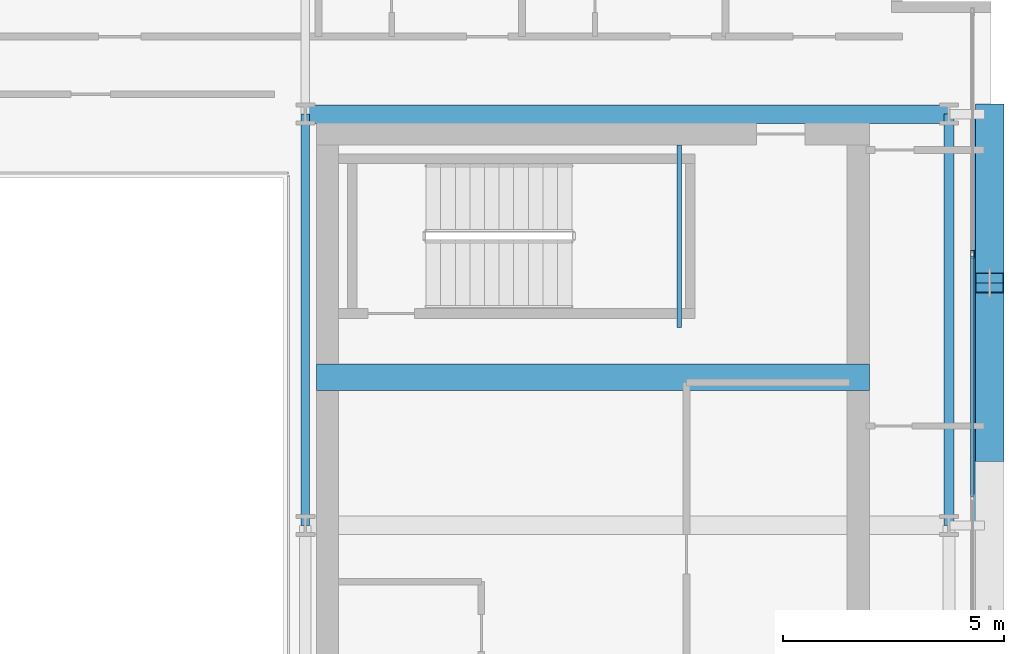
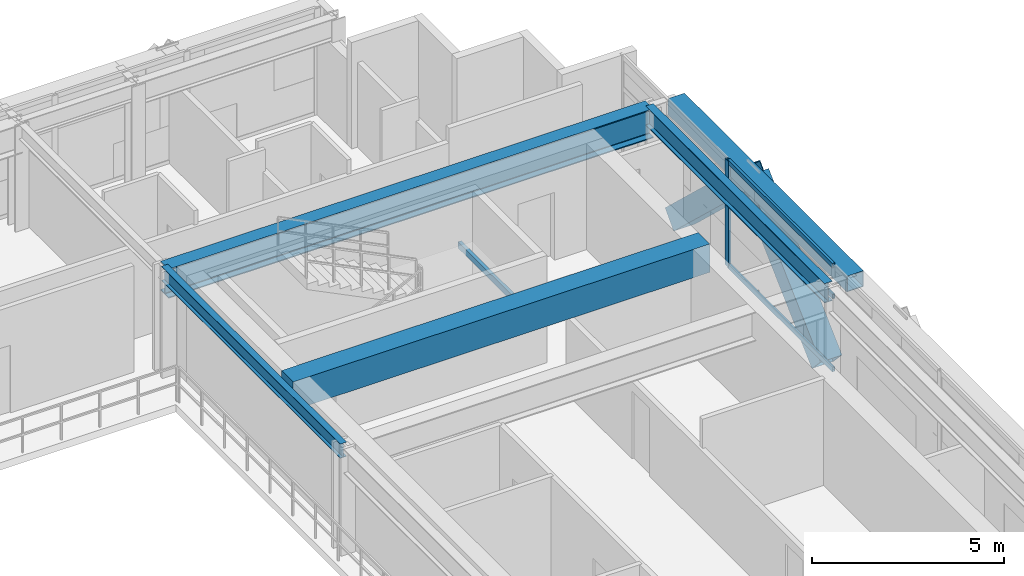
# One storey, part 14 of 31: 6 beams, 6 members, 1 element without a shape of its own.
"""IFC4 building model written with IfcOpenShell, lengths in metres."""

from ifc_helpers import new_model, si_unit, direction, frame, origin, origin_2d, place, context, subcontext, project, spatial, rectangle, hollow_rectangle, i_section, extrude, source, transform, mapped, material, layer, layer_set, material_profile, profile_set, type_object, element, aggregate, save


model = new_model("IFC4")

# Units and contexts
model_context = context("Model", 3, precision=1e-05, world=origin(), true_north=direction((0.0, 1.0)))
body_context = subcontext(model_context, "Body", "Model", "MODEL_VIEW")
ifc_project = project(units=[si_unit("LENGTHUNIT", "METRE"), si_unit("AREAUNIT", "SQUARE_METRE"), si_unit("VOLUMEUNIT", "CUBIC_METRE"), si_unit("PLANEANGLEUNIT", "RADIAN"), si_unit("MASSUNIT", "GRAM", prefix="KILO")], contexts=[model_context])

# Site, building, storey
site_placement = place(None, origin())
site = spatial("IfcSite", under=ifc_project, at=site_placement, CompositionType="ELEMENT")
building_placement = place(site_placement, origin())
building = spatial("IfcBuilding", under=site, at=building_placement, Name="Ocotamira Hotel", CompositionType="ELEMENT")
storey_placement = place(building_placement, frame((0.0, 0.0, 174.0)))
storey = spatial("IfcBuildingStorey", under=building, at=storey_placement, Name="L43", CompositionType="ELEMENT", Elevation=174.0)

# Beams
ifc_material_1 = material(Name="Concrete C50/60", Category="concrete")
ifc_material_profile_1 = material_profile(ifc_material_1, rectangle(XDim=0.60009765625, YDim=0.89990234375, at=origin_2d()), Name="RC600X900")
ifc_profile_set_1 = profile_set([ifc_material_profile_1], Name="Concrete C50/60")
beam_type_1 = type_object("IfcBeamType", Name="BM-LINK-RC600", PredefinedType="LINTEL", material=ifc_profile_set_1)
shared_shape_1 = source(origin(), body_context, "Body", "SweptSolid", [
    extrude(rectangle(XDim=0.60009765625, YDim=0.89990234375, at=origin_2d()), origin(), (0.0, 0.0, 1.0), 12.5),
])
beam_1_placement = place(storey_placement, frame((40.75, 31.5, 2.919921875), z_axis=(1.0, 0.0, 0.0), x_axis=(0.0, 1.0, 0.0)))
element("IfcBeam", 1, at=beam_1_placement, inside=storey, type_object=beam_type_1, Name="L43 East Core Coupling Beam", PredefinedType="LINTEL", context=body_context, shape_type="MappedRepresentation", body=[
    mapped(shared_shape_1, transform((0.0, 0.0, 0.0), scale=1.0)),
])
ifc_material_2 = material(Name="Steel ASTM A500 Grade C", Category="steel")
ifc_material_profile_2 = material_profile(ifc_material_2, hollow_rectangle(XDim=0.10009765625, YDim=0.199951171875, WallThickness=0.008056640625, at=origin_2d()), Name="HSS200X100X8")
ifc_profile_set_2 = profile_set([ifc_material_profile_2], Name="Steel ASTM A500 Grade C")
beam_type_2 = type_object("IfcBeamType", Name="BM-STLDG-HSS200", PredefinedType="BEAM", material=ifc_profile_set_2)
shared_shape_2 = source(origin(), body_context, "Body", "SweptSolid", [
    extrude(hollow_rectangle(XDim=0.10009765625, YDim=0.199951171875, WallThickness=0.008056640625, at=origin_2d()), origin(), (0.0, 0.0, 1.0), 4.1201171875),
])
beam_2_placement = place(storey_placement, frame((48.949951171875, 32.6298828125, 1.5), z_axis=(0.0, 1.0, 0.0), x_axis=(-1.0, 0.0, 0.0)))
element("IfcBeam", 2, at=beam_2_placement, inside=storey, type_object=beam_type_2, Name="L43 Stair ST-4 Landing Bearer 1", PredefinedType="BEAM", context=body_context, shape_type="MappedRepresentation", body=[
    mapped(shared_shape_2, transform((0.0, 0.0, 0.0), scale=1.0)),
])
ifc_material_3 = material(Name="Steel ASTM A992 Grade 50", Category="steel")
ifc_material_profile_3 = material_profile(ifc_material_3, i_section(OverallWidth=0.41796875, OverallDepth=0.927001953125, WebThickness=0.019287109375, FlangeThickness=0.031982421875, FilletRadius=0.02392578125, at=origin_2d()), Name="W36X231")
ifc_profile_set_3 = profile_set([ifc_material_profile_3], Name="Steel ASTM A992 Grade 50")
beam_type_3 = type_object("IfcBeamType", Name="BM-GIRD-W36X231", PredefinedType="BEAM", material=ifc_profile_set_3)
shared_shape_3 = source(origin(), body_context, "Body", "SweptSolid", [
    extrude(i_section(OverallWidth=0.41796875, OverallDepth=0.927001953125, WebThickness=0.019287109375, FlangeThickness=0.031982421875, FilletRadius=0.02392578125, at=origin_2d()), origin(), (0.0, 0.0, 1.0), 14.550048828125),
])
beam_3_placement = place(storey_placement, frame((40.5, 37.449951171875, 2.906494140625), z_axis=(1.0, 0.0, 0.0), x_axis=(0.0, 1.0, 0.0)))
element("IfcBeam", 3, at=beam_3_placement, inside=storey, type_object=beam_type_3, Name="L43 Girder Y37.45 X40.5-55.05", PredefinedType="BEAM", context=body_context, shape_type="MappedRepresentation", body=[
    mapped(shared_shape_3, transform((0.0, 0.0, 0.0), scale=1.0)),
])
ifc_material_profile_4 = material_profile(ifc_material_3, i_section(OverallWidth=0.22998046875, OverallDepth=0.616943359375, WebThickness=0.01318359375, FlangeThickness=0.022216796875, FilletRadius=0.012939453125, at=origin_2d()), Name="W24X94")
ifc_profile_set_4 = profile_set([ifc_material_profile_4], Name="Steel ASTM A992 Grade 50")
beam_type_4 = type_object("IfcBeamType", Name="BM-PRIM-W24X94", PredefinedType="BEAM", material=ifc_profile_set_4)
shared_shape_4 = source(origin(), body_context, "Body", "SweptSolid", [
    extrude(i_section(OverallWidth=0.22998046875, OverallDepth=0.616943359375, WebThickness=0.01318359375, FlangeThickness=0.022216796875, FilletRadius=0.012939453125, at=origin_2d()), origin(), (0.0, 0.0, 1.0), 9.300048828125),
])
beam_4_placement = place(storey_placement, frame((55.050048828125, 28.14990234375, 3.0615234375), z_axis=(0.0, 1.0, 0.0), x_axis=(-1.0, 0.0, 0.0)))
element("IfcBeam", 4, at=beam_4_placement, inside=storey, type_object=beam_type_4, Name="L43 Beam X55.05 Y28.15-37.45", PredefinedType="BEAM", context=body_context, shape_type="MappedRepresentation", body=[
    mapped(shared_shape_4, transform((0.0, 0.0, 0.0), scale=1.0)),
])
ifc_material_profile_5 = material_profile(ifc_material_3, i_section(OverallWidth=0.18994140625, OverallDepth=0.45703125, WebThickness=0.009033203125, FlangeThickness=0.014404296875, FilletRadius=0.010009765625, at=origin_2d()), Name="W18X50")
ifc_profile_set_5 = profile_set([ifc_material_profile_5], Name="Steel ASTM A992 Grade 50")
beam_type_5 = type_object("IfcBeamType", Name="BM-SEC-W18X50", PredefinedType="JOIST", material=ifc_profile_set_5)
shared_shape_5 = source(origin(), body_context, "Body", "SweptSolid", [
    extrude(i_section(OverallWidth=0.18994140625, OverallDepth=0.45703125, WebThickness=0.009033203125, FlangeThickness=0.014404296875, FilletRadius=0.010009765625, at=origin_2d()), origin(), (0.0, 0.0, 1.0), 9.300048828125),
])
beam_5_placement = place(storey_placement, frame((40.5, 28.14990234375, 3.1416015625), z_axis=(0.0, 1.0, 0.0), x_axis=(-1.0, 0.0, 0.0)))
element("IfcBeam", 5, at=beam_5_placement, inside=storey, type_object=beam_type_5, Name="L43 Beam X40.5 Y28.15-37.45", PredefinedType="JOIST", context=body_context, shape_type="MappedRepresentation", body=[
    mapped(shared_shape_5, transform((0.0, 0.0, 0.0), scale=1.0)),
])
ifc_material_profile_6 = material_profile(ifc_material_2, hollow_rectangle(XDim=0.5, YDim=0.5, WallThickness=0.02001953125, at=origin_2d()), Name="HSS500X500X20")
ifc_profile_set_6 = profile_set([ifc_material_profile_6], Name="Steel ASTM A500 Grade C")
beam_type_6 = type_object("IfcBeamType", Name="BM-SPAN-HSS500", PredefinedType="USERDEFINED", material=ifc_profile_set_6)
shared_shape_6 = source(origin(), body_context, "Body", "SweptSolid", [
    extrude(hollow_rectangle(XDim=0.5, YDim=0.5, WallThickness=0.02001953125, at=origin_2d()), origin(), (0.0, 0.0, 1.0), 9.300048828125),
])
beam_6_placement = place(storey_placement, frame((55.85009765625, 28.14990234375, 3.1201171875), z_axis=(0.0, 1.0, 0.0), x_axis=(-1.0, 0.0, 0.0)))
element("IfcBeam", 6, at=beam_6_placement, inside=storey, type_object=beam_type_6, Name="L43 Edge Spandrel E Y28.15-37.45", ObjectType="SPANDREL", PredefinedType="USERDEFINED", context=body_context, shape_type="MappedRepresentation", body=[
    mapped(shared_shape_6, transform((0.0, 0.0, 0.0), scale=1.0)),
])

# Members
ifc_material_4 = material(Name="Pale-metal coated steel ASTM A913 Grade 65", Category="steel")
ifc_material_profile_7 = material_profile(ifc_material_4, hollow_rectangle(XDim=0.64990234375, YDim=0.64990234375, WallThickness=0.02197265625, at=origin_2d()), Name="BOX650X650X22")
ifc_profile_set_7 = profile_set([ifc_material_profile_7], Name="Pale-metal coated steel ASTM A913 Grade 65")
member_type_1 = type_object("IfcMemberType", Name="MEM-EXO-BOX650", PredefinedType="BRACE", material=ifc_profile_set_7)
shared_shape_7 = source(origin(), body_context, "Body", "SweptSolid", [
    extrude(hollow_rectangle(XDim=0.64990234375, YDim=0.64990234375, WallThickness=0.02197265625, at=origin_2d()), origin(), (0.0, 0.0, 1.0), 5.24658203125),
])
for number, where, z_axis, x_axis, name in (
    (7, (55.969970703125, 29.816650390625, -0.47998046875), (0.0, 0.727442733726, 0.686168397078), (-1.0, 0.0, 0.0), "L43 Exoskeleton Diagrid E2.1"),
    (8, (55.969970703125, 37.449951171875, -0.47998046875), (0.0, -0.727442733726, 0.686168397078), (1.0, 0.0, 0.0), "L43 Exoskeleton Diagrid E2.2"),
):
    element("IfcMember", number, at=place(storey_placement, frame(where, z_axis=z_axis, x_axis=x_axis)), inside=storey, type_object=member_type_1, Name=name, PredefinedType="BRACE", context=body_context, shape_type="MappedRepresentation", body=[
        mapped(shared_shape_7, transform((0.0, 0.0, 0.0), scale=1.0)),
    ])

# Curtain wall, members
ifc_material_5 = material(Name="Anodised pale-metal aluminium and solar glass", Category="aluminium")
ifc_layer = layer(ifc_material_5, 0.199951171875)
ifc_layer_set = layer_set([ifc_layer], Name="Anodised pale-metal aluminium and solar glass")
curtain_wall_type = type_object("IfcCurtainWallType", Name="CW-SYS4-Z3", PredefinedType="NOTDEFINED", material=ifc_layer_set)
curtain_wall_placement = place(storey_placement, origin())
curtain_wall = element("IfcCurtainWall", 9, at=curtain_wall_placement, inside=storey, type_object=curtain_wall_type, Name="L43 Curtain Wall CW-4 CW-L43-E", PredefinedType="NOTDEFINED")
ifc_material_6 = material(Name="Anodised pale-metal aluminium 6063-T6", Category="aluminium")
ifc_material_profile_8 = material_profile(ifc_material_6, hollow_rectangle(XDim=0.080078125, YDim=0.179931640625, WallThickness=0.006103515625, at=origin_2d()), Name="HSS180X80X6")
ifc_profile_set_8 = profile_set([ifc_material_profile_8], Name="Anodised pale-metal aluminium 6063-T6")
member_type_2 = type_object("IfcMemberType", Name="CWM-180X75", PredefinedType="MULLION", material=ifc_profile_set_8)
shared_shape_8 = source(origin(), body_context, "Body", "SweptSolid", [
    extrude(hollow_rectangle(XDim=0.080078125, YDim=0.179931640625, WallThickness=0.006103515625, at=origin_2d()), origin(), (0.0, 0.0, 1.0), 3.3701171875),
])
member_1_placement = place(storey_placement, frame((55.580078125, 34.280029296875, 0.0), z_axis=(0.0, 0.0, 1.0), x_axis=(-1.0, 0.0, 0.0)))
member_1 = element("IfcMember", 10, at=member_1_placement, type_object=member_type_2, Name="CW-4 mullion 5", PredefinedType="MULLION", context=body_context, shape_type="MappedRepresentation", body=[
    mapped(shared_shape_8, transform((0.0, 0.0, 0.0), scale=1.0)),
])
ifc_material_profile_9 = material_profile(ifc_material_6, hollow_rectangle(XDim=0.074951171875, YDim=0.14990234375, WallThickness=0.006103515625, at=origin_2d()), Name="HSS150X75X6")
ifc_profile_set_9 = profile_set([ifc_material_profile_9], Name="Anodised pale-metal aluminium 6063-T6")
member_type_3 = type_object("IfcMemberType", Name="CWT-150X75", PredefinedType="USERDEFINED", material=ifc_profile_set_9)
shared_shape_9 = source(origin(), body_context, "Body", "SweptSolid", [
    extrude(hollow_rectangle(XDim=0.074951171875, YDim=0.14990234375, WallThickness=0.006103515625, at=origin_2d()), origin(), (0.0, 0.0, 1.0), 5.43994140625),
])
member_2_placement = place(storey_placement, frame((55.580078125, 28.800048828125, 0.03759765625), z_axis=(0.0, 1.0, 0.0), x_axis=(-1.0, 0.0, 0.0)))
member_2 = element("IfcMember", 11, at=member_2_placement, type_object=member_type_3, Name="CW-4 transom 4.1", ObjectType="TRANSOM", PredefinedType="USERDEFINED", context=body_context, shape_type="MappedRepresentation", body=[
    mapped(shared_shape_9, transform((0.0, 0.0, 0.0), scale=1.0)),
])
member_3_placement = place(storey_placement, frame((55.580078125, 28.800048828125, 2.35009765625), z_axis=(0.0, 1.0, 0.0), x_axis=(-1.0, 0.0, 0.0)))
member_3 = element("IfcMember", 12, at=member_3_placement, type_object=member_type_3, Name="CW-4 transom 4.2", ObjectType="TRANSOM", PredefinedType="USERDEFINED", context=body_context, shape_type="MappedRepresentation", body=[
    mapped(shared_shape_9, transform((0.0, 0.0, 0.0), scale=1.0)),
])
member_4_placement = place(storey_placement, frame((55.580078125, 28.800048828125, 3.33251953125), z_axis=(0.0, 1.0, 0.0), x_axis=(-1.0, 0.0, 0.0)))
member_4 = element("IfcMember", 13, at=member_4_placement, type_object=member_type_3, Name="CW-4 transom 4.3", ObjectType="TRANSOM", PredefinedType="USERDEFINED", context=body_context, shape_type="MappedRepresentation", body=[
    mapped(shared_shape_9, transform((0.0, 0.0, 0.0), scale=1.0)),
])
aggregate(curtain_wall, [member_1, member_2, member_3, member_4])

save(model, "model.ifc")
